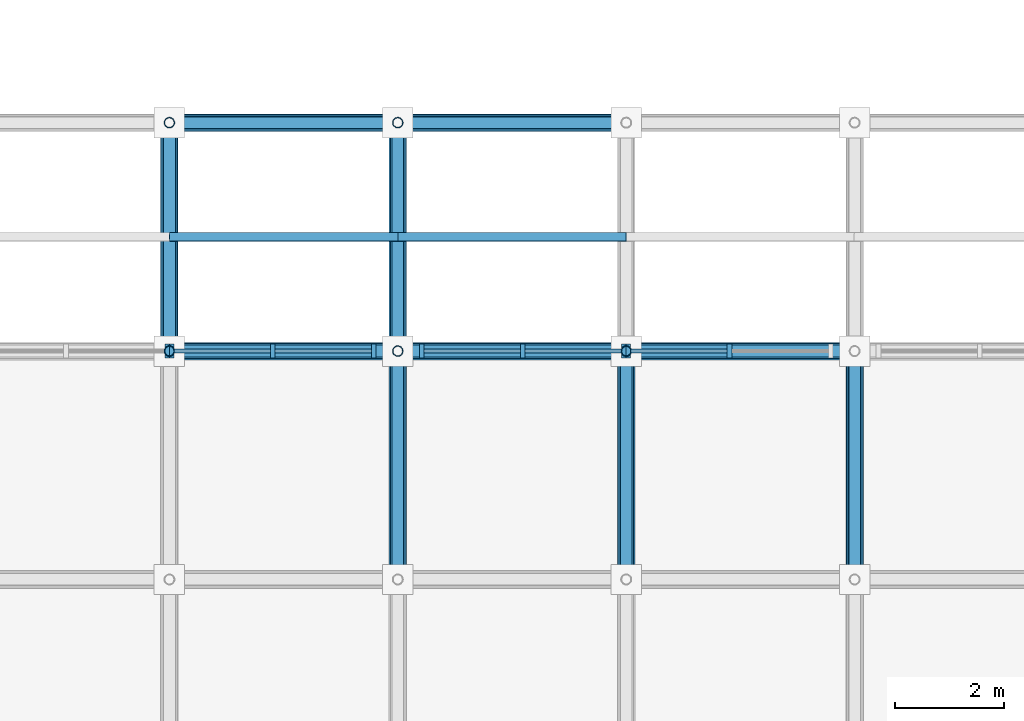
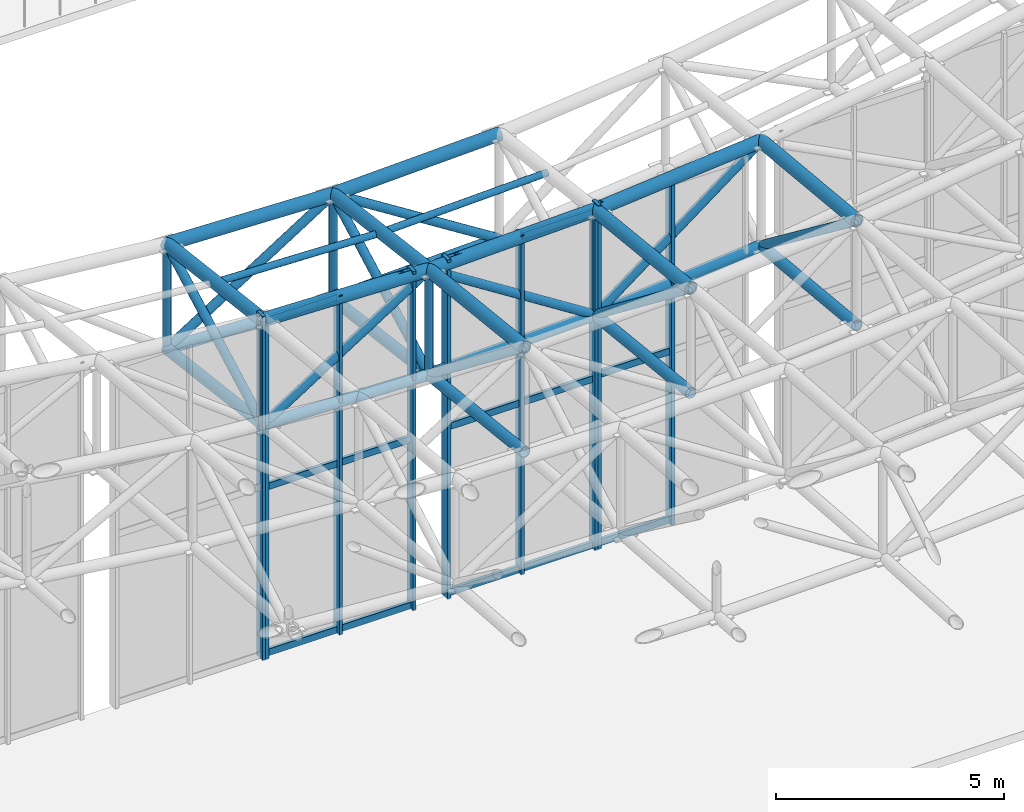
# One storey, part 50 of 93: 61 members, 4 elements without a shape of their own.
"""IFC4 building model written with IfcOpenShell, lengths in metres."""

from ifc_helpers import new_model, si_unit, direction, frame, origin, origin_2d, place, context, subcontext, project, spatial, rectangle, hollow_circle, extrude, material, material_profile, profile_set, type_object, element, aggregate, save


model = new_model("IFC4")

# Units and contexts
model_context = context("Model", 3, precision=1e-05, world=origin(), true_north=direction((0.0, 1.0)))
body_context = subcontext(model_context, "Body", "Model", "MODEL_VIEW")
ifc_project = project(units=[si_unit("LENGTHUNIT", "METRE"), si_unit("AREAUNIT", "SQUARE_METRE"), si_unit("VOLUMEUNIT", "CUBIC_METRE"), si_unit("PLANEANGLEUNIT", "RADIAN"), si_unit("MASSUNIT", "GRAM", prefix="KILO")], contexts=[model_context])

# Site, building, storey
site_placement = place(None, origin())
site = spatial("IfcSite", under=ifc_project, at=site_placement, CompositionType="ELEMENT")
building_placement = place(site_placement, origin())
building = spatial("IfcBuilding", under=site, at=building_placement, Name="Cumbredor Promenade Congress Hotel", CompositionType="ELEMENT")
storey_placement = place(building_placement, frame((0.0, 0.0, 21.840087890625)))
storey = spatial("IfcBuildingStorey", under=building, at=storey_placement, Name="L06", CompositionType="ELEMENT", Elevation=21.840087890625)

# Curtain wall, member
ifc_material_1 = material(Name="Thermally broken anodized aluminium and low-E glass", Category="aluminium")
curtain_wall_type = type_object("IfcCurtainWallType", Name="Stepped Pavilion Clerestory Curtain Wall CW-06", PredefinedType="NOTDEFINED", material=ifc_material_1)
curtain_wall_1_placement = place(storey_placement, origin())
curtain_wall_1 = element("IfcCurtainWall", 1, at=curtain_wall_1_placement, inside=storey, type_object=curtain_wall_type, Name="Plenary Congress Hall N Glazed Clerestory 5", PredefinedType="NOTDEFINED")
ifc_material_2 = material(Name="Thermally broken anodized aluminium", Category="aluminium")
ifc_material_profile_1 = material_profile(ifc_material_2, rectangle(XDim=0.0849609375, YDim=0.260009765625, at=origin_2d()), Name="ALU MULLION CLERESTORY 85x260")
ifc_profile_set_1 = profile_set([ifc_material_profile_1], Name="Thermally broken anodized aluminium")
member_type_1 = type_object("IfcMemberType", Name="Curtain Wall Mullion ML-04", PredefinedType="MULLION", material=ifc_profile_set_1)
member_1_placement = place(storey_placement, frame((29.360107421875, 67.199951171875, -0.01806640625), z_axis=(0.0, 0.0, 1.0), x_axis=(1.0, 0.0, 0.0)))
member_1 = element("IfcMember", 2, at=member_1_placement, type_object=member_type_1, Name="Plenary Congress Hall N Glazed Clerestory 5 Mullion 3", PredefinedType="MULLION", context=body_context, shape_type="SweptSolid", body=[
    extrude(rectangle(XDim=0.0849609375, YDim=0.260009765625, at=origin_2d()), origin(), (0.0, 0.0, 1.0), 9.20068359375),
])
aggregate(curtain_wall_1, [member_1])

# Curtain wall, members
curtain_wall_2_placement = place(storey_placement, origin())
curtain_wall_2 = element("IfcCurtainWall", 3, at=curtain_wall_2_placement, inside=storey, type_object=curtain_wall_type, Name="Plenary Congress Hall N Glazed Clerestory 6", PredefinedType="NOTDEFINED")
member_2_placement = place(storey_placement, frame((29.43994140625, 67.199951171875, -0.01806640625), z_axis=(0.0, 0.0, 1.0), x_axis=(1.0, 0.0, 0.0)))
member_2 = element("IfcMember", 4, at=member_2_placement, type_object=member_type_1, Name="Plenary Congress Hall N Glazed Clerestory 6 Mullion 1", PredefinedType="MULLION", context=body_context, shape_type="SweptSolid", body=[
    extrude(rectangle(XDim=0.0849609375, YDim=0.260009765625, at=origin_2d()), origin(), (0.0, 0.0, 1.0), 9.075439453125),
])
member_3_placement = place(storey_placement, frame((31.300048828125, 67.199951171875, -0.01806640625), z_axis=(0.0, 0.0, 1.0), x_axis=(1.0, 0.0, 0.0)))
member_3 = element("IfcMember", 5, at=member_3_placement, type_object=member_type_1, Name="Plenary Congress Hall N Glazed Clerestory 6 Mullion 2", PredefinedType="MULLION", context=body_context, shape_type="SweptSolid", body=[
    extrude(rectangle(XDim=0.0849609375, YDim=0.260009765625, at=origin_2d()), origin(), (0.0, 0.0, 1.0), 9.075439453125),
])
member_4_placement = place(storey_placement, frame((33.159912109375, 67.199951171875, -0.01806640625), z_axis=(0.0, 0.0, 1.0), x_axis=(1.0, 0.0, 0.0)))
member_4 = element("IfcMember", 6, at=member_4_placement, type_object=member_type_1, Name="Plenary Congress Hall N Glazed Clerestory 6 Mullion 3", PredefinedType="MULLION", context=body_context, shape_type="SweptSolid", body=[
    extrude(rectangle(XDim=0.0849609375, YDim=0.260009765625, at=origin_2d()), origin(), (0.0, 0.0, 1.0), 9.075439453125),
])

curtain_wall_3_placement = place(storey_placement, origin())
curtain_wall_3 = element("IfcCurtainWall", 7, at=curtain_wall_3_placement, inside=storey, type_object=curtain_wall_type, Name="Plenary Congress Hall N Glazed Clerestory 7", PredefinedType="NOTDEFINED")
member_5_placement = place(storey_placement, frame((34.0400390625, 67.199951171875, -0.01806640625), z_axis=(0.0, 0.0, 1.0), x_axis=(1.0, 0.0, 0.0)))
member_5 = element("IfcMember", 8, at=member_5_placement, type_object=member_type_1, Name="Plenary Congress Hall N Glazed Clerestory 7 Mullion 1", PredefinedType="MULLION", context=body_context, shape_type="SweptSolid", body=[
    extrude(rectangle(XDim=0.0849609375, YDim=0.260009765625, at=origin_2d()), origin(), (0.0, 0.0, 1.0), 9.075439453125),
])
member_6_placement = place(storey_placement, frame((35.89990234375, 67.199951171875, -0.01806640625), z_axis=(0.0, 0.0, 1.0), x_axis=(1.0, 0.0, 0.0)))
member_6 = element("IfcMember", 9, at=member_6_placement, type_object=member_type_1, Name="Plenary Congress Hall N Glazed Clerestory 7 Mullion 2", PredefinedType="MULLION", context=body_context, shape_type="SweptSolid", body=[
    extrude(rectangle(XDim=0.0849609375, YDim=0.260009765625, at=origin_2d()), origin(), (0.0, 0.0, 1.0), 9.075439453125),
])
member_7_placement = place(storey_placement, frame((37.760009765625, 67.199951171875, -0.01806640625), z_axis=(0.0, 0.0, 1.0), x_axis=(1.0, 0.0, 0.0)))
member_7 = element("IfcMember", 10, at=member_7_placement, type_object=member_type_1, Name="Plenary Congress Hall N Glazed Clerestory 7 Mullion 3", PredefinedType="MULLION", context=body_context, shape_type="SweptSolid", body=[
    extrude(rectangle(XDim=0.0849609375, YDim=0.260009765625, at=origin_2d()), origin(), (0.0, 0.0, 1.0), 9.075439453125),
])

curtain_wall_4_placement = place(storey_placement, origin())
curtain_wall_4 = element("IfcCurtainWall", 11, at=curtain_wall_4_placement, inside=storey, type_object=curtain_wall_type, Name="Plenary Congress Hall N Glazed Clerestory 8", PredefinedType="NOTDEFINED")
member_8_placement = place(storey_placement, frame((37.840087890625, 67.199951171875, -0.01806640625), z_axis=(0.0, 0.0, 1.0), x_axis=(1.0, 0.0, 0.0)))
member_8 = element("IfcMember", 12, at=member_8_placement, type_object=member_type_1, Name="Plenary Congress Hall N Glazed Clerestory 8 Mullion 1", PredefinedType="MULLION", context=body_context, shape_type="SweptSolid", body=[
    extrude(rectangle(XDim=0.0849609375, YDim=0.260009765625, at=origin_2d()), origin(), (0.0, 0.0, 1.0), 9.20068359375),
])
member_9_placement = place(storey_placement, frame((39.699951171875, 67.199951171875, -0.01806640625), z_axis=(0.0, 0.0, 1.0), x_axis=(1.0, 0.0, 0.0)))
member_9 = element("IfcMember", 13, at=member_9_placement, type_object=member_type_1, Name="Plenary Congress Hall N Glazed Clerestory 8 Mullion 2", PredefinedType="MULLION", context=body_context, shape_type="SweptSolid", body=[
    extrude(rectangle(XDim=0.0849609375, YDim=0.260009765625, at=origin_2d()), origin(), (0.0, 0.0, 1.0), 9.20068359375),
])

# Member
ifc_material_profile_2 = material_profile(ifc_material_2, rectangle(XDim=0.080078125, YDim=0.179931640625, at=origin_2d()), Name="ALU TRANSOM 80x180")
ifc_profile_set_2 = profile_set([ifc_material_profile_2], Name="Thermally broken anodized aluminium")
member_type_2 = type_object("IfcMemberType", Name="Curtain Wall Transom TR-03", PredefinedType="USERDEFINED", material=ifc_profile_set_2)
member_10_placement = place(storey_placement, frame((29.482421875, 67.199951171875, 0.079833984375), z_axis=(1.0, 0.0, 0.0), x_axis=(0.0, 1.0, 0.0)))
member_10 = element("IfcMember", 14, at=member_10_placement, type_object=member_type_2, Name="Plenary Congress Hall N Glazed Clerestory 6 Transom 1.1", ObjectType="TRANSOM", PredefinedType="USERDEFINED", context=body_context, shape_type="SweptSolid", body=[
    extrude(rectangle(XDim=0.080078125, YDim=0.179931640625, at=origin_2d()), origin(), (0.0, 0.0, 1.0), 1.775146484375),
])

member_11_placement = place(storey_placement, frame((29.482421875, 67.199951171875, 4.52001953125), z_axis=(1.0, 0.0, 0.0), x_axis=(0.0, 1.0, 0.0)))
member_11 = element("IfcMember", 15, at=member_11_placement, type_object=member_type_2, Name="Plenary Congress Hall N Glazed Clerestory 6 Transom 1.2", ObjectType="TRANSOM", PredefinedType="USERDEFINED", context=body_context, shape_type="SweptSolid", body=[
    extrude(rectangle(XDim=0.080078125, YDim=0.179931640625, at=origin_2d()), origin(), (0.0, 0.0, 1.0), 1.775146484375),
])

member_12_placement = place(storey_placement, frame((29.482421875, 67.199951171875, 8.9599609375), z_axis=(1.0, 0.0, 0.0), x_axis=(0.0, 1.0, 0.0)))
member_12 = element("IfcMember", 16, at=member_12_placement, type_object=member_type_2, Name="Plenary Congress Hall N Glazed Clerestory 6 Transom 1.3", ObjectType="TRANSOM", PredefinedType="USERDEFINED", context=body_context, shape_type="SweptSolid", body=[
    extrude(rectangle(XDim=0.080078125, YDim=0.179931640625, at=origin_2d()), origin(), (0.0, 0.0, 1.0), 1.775146484375),
])

member_13_placement = place(storey_placement, frame((31.342529296875, 67.199951171875, 0.079833984375), z_axis=(1.0, 0.0, 0.0), x_axis=(0.0, 1.0, 0.0)))
member_13 = element("IfcMember", 17, at=member_13_placement, type_object=member_type_2, Name="Plenary Congress Hall N Glazed Clerestory 6 Transom 2.1", ObjectType="TRANSOM", PredefinedType="USERDEFINED", context=body_context, shape_type="SweptSolid", body=[
    extrude(rectangle(XDim=0.080078125, YDim=0.179931640625, at=origin_2d()), origin(), (0.0, 0.0, 1.0), 1.77490234375),
])

member_14_placement = place(storey_placement, frame((31.342529296875, 67.199951171875, 4.52001953125), z_axis=(1.0, 0.0, 0.0), x_axis=(0.0, 1.0, 0.0)))
member_14 = element("IfcMember", 18, at=member_14_placement, type_object=member_type_2, Name="Plenary Congress Hall N Glazed Clerestory 6 Transom 2.2", ObjectType="TRANSOM", PredefinedType="USERDEFINED", context=body_context, shape_type="SweptSolid", body=[
    extrude(rectangle(XDim=0.080078125, YDim=0.179931640625, at=origin_2d()), origin(), (0.0, 0.0, 1.0), 1.77490234375),
])

member_15_placement = place(storey_placement, frame((31.342529296875, 67.199951171875, 8.9599609375), z_axis=(1.0, 0.0, 0.0), x_axis=(0.0, 1.0, 0.0)))
member_15 = element("IfcMember", 19, at=member_15_placement, type_object=member_type_2, Name="Plenary Congress Hall N Glazed Clerestory 6 Transom 2.3", ObjectType="TRANSOM", PredefinedType="USERDEFINED", context=body_context, shape_type="SweptSolid", body=[
    extrude(rectangle(XDim=0.080078125, YDim=0.179931640625, at=origin_2d()), origin(), (0.0, 0.0, 1.0), 1.77490234375),
])

aggregate(curtain_wall_2, [member_2, member_3, member_4, member_10, member_11, member_12, member_13, member_14, member_15])

member_16_placement = place(storey_placement, frame((34.08251953125, 67.199951171875, 0.079833984375), z_axis=(1.0, 0.0, 0.0), x_axis=(0.0, 1.0, 0.0)))
member_16 = element("IfcMember", 20, at=member_16_placement, type_object=member_type_2, Name="Plenary Congress Hall N Glazed Clerestory 7 Transom 1.1", ObjectType="TRANSOM", PredefinedType="USERDEFINED", context=body_context, shape_type="SweptSolid", body=[
    extrude(rectangle(XDim=0.080078125, YDim=0.179931640625, at=origin_2d()), origin(), (0.0, 0.0, 1.0), 1.77490234375),
])

member_17_placement = place(storey_placement, frame((34.08251953125, 67.199951171875, 4.52001953125), z_axis=(1.0, 0.0, 0.0), x_axis=(0.0, 1.0, 0.0)))
member_17 = element("IfcMember", 21, at=member_17_placement, type_object=member_type_2, Name="Plenary Congress Hall N Glazed Clerestory 7 Transom 1.2", ObjectType="TRANSOM", PredefinedType="USERDEFINED", context=body_context, shape_type="SweptSolid", body=[
    extrude(rectangle(XDim=0.080078125, YDim=0.179931640625, at=origin_2d()), origin(), (0.0, 0.0, 1.0), 1.77490234375),
])

member_18_placement = place(storey_placement, frame((34.08251953125, 67.199951171875, 8.9599609375), z_axis=(1.0, 0.0, 0.0), x_axis=(0.0, 1.0, 0.0)))
member_18 = element("IfcMember", 22, at=member_18_placement, type_object=member_type_2, Name="Plenary Congress Hall N Glazed Clerestory 7 Transom 1.3", ObjectType="TRANSOM", PredefinedType="USERDEFINED", context=body_context, shape_type="SweptSolid", body=[
    extrude(rectangle(XDim=0.080078125, YDim=0.179931640625, at=origin_2d()), origin(), (0.0, 0.0, 1.0), 1.77490234375),
])

member_19_placement = place(storey_placement, frame((35.9423828125, 67.199951171875, 0.079833984375), z_axis=(1.0, 0.0, 0.0), x_axis=(0.0, 1.0, 0.0)))
member_19 = element("IfcMember", 23, at=member_19_placement, type_object=member_type_2, Name="Plenary Congress Hall N Glazed Clerestory 7 Transom 2.1", ObjectType="TRANSOM", PredefinedType="USERDEFINED", context=body_context, shape_type="SweptSolid", body=[
    extrude(rectangle(XDim=0.080078125, YDim=0.179931640625, at=origin_2d()), origin(), (0.0, 0.0, 1.0), 1.775146484375),
])

member_20_placement = place(storey_placement, frame((35.9423828125, 67.199951171875, 4.52001953125), z_axis=(1.0, 0.0, 0.0), x_axis=(0.0, 1.0, 0.0)))
member_20 = element("IfcMember", 24, at=member_20_placement, type_object=member_type_2, Name="Plenary Congress Hall N Glazed Clerestory 7 Transom 2.2", ObjectType="TRANSOM", PredefinedType="USERDEFINED", context=body_context, shape_type="SweptSolid", body=[
    extrude(rectangle(XDim=0.080078125, YDim=0.179931640625, at=origin_2d()), origin(), (0.0, 0.0, 1.0), 1.775146484375),
])

member_21_placement = place(storey_placement, frame((35.9423828125, 67.199951171875, 8.9599609375), z_axis=(1.0, 0.0, 0.0), x_axis=(0.0, 1.0, 0.0)))
member_21 = element("IfcMember", 25, at=member_21_placement, type_object=member_type_2, Name="Plenary Congress Hall N Glazed Clerestory 7 Transom 2.3", ObjectType="TRANSOM", PredefinedType="USERDEFINED", context=body_context, shape_type="SweptSolid", body=[
    extrude(rectangle(XDim=0.080078125, YDim=0.179931640625, at=origin_2d()), origin(), (0.0, 0.0, 1.0), 1.775146484375),
])

aggregate(curtain_wall_3, [member_5, member_6, member_7, member_16, member_17, member_18, member_19, member_20, member_21])

member_22_placement = place(storey_placement, frame((37.882568359375, 67.199951171875, 0.079833984375), z_axis=(1.0, 0.0, 0.0), x_axis=(0.0, 1.0, 0.0)))
member_22 = element("IfcMember", 26, at=member_22_placement, type_object=member_type_2, Name="Plenary Congress Hall N Glazed Clerestory 8 Transom 1.1", ObjectType="TRANSOM", PredefinedType="USERDEFINED", context=body_context, shape_type="SweptSolid", body=[
    extrude(rectangle(XDim=0.080078125, YDim=0.179931640625, at=origin_2d()), origin(), (0.0, 0.0, 1.0), 1.77490234375),
])

member_23_placement = place(storey_placement, frame((37.882568359375, 67.199951171875, 4.579833984375), z_axis=(1.0, 0.0, 0.0), x_axis=(0.0, 1.0, 0.0)))
member_23 = element("IfcMember", 27, at=member_23_placement, type_object=member_type_2, Name="Plenary Congress Hall N Glazed Clerestory 8 Transom 1.2", ObjectType="TRANSOM", PredefinedType="USERDEFINED", context=body_context, shape_type="SweptSolid", body=[
    extrude(rectangle(XDim=0.080078125, YDim=0.179931640625, at=origin_2d()), origin(), (0.0, 0.0, 1.0), 1.77490234375),
])

member_24_placement = place(storey_placement, frame((37.882568359375, 67.199951171875, 9.079833984375), z_axis=(1.0, 0.0, 0.0), x_axis=(0.0, 1.0, 0.0)))
member_24 = element("IfcMember", 28, at=member_24_placement, type_object=member_type_2, Name="Plenary Congress Hall N Glazed Clerestory 8 Transom 1.3", ObjectType="TRANSOM", PredefinedType="USERDEFINED", context=body_context, shape_type="SweptSolid", body=[
    extrude(rectangle(XDim=0.080078125, YDim=0.179931640625, at=origin_2d()), origin(), (0.0, 0.0, 1.0), 1.77490234375),
])

aggregate(curtain_wall_4, [member_8, member_9, member_22, member_23, member_24])

# Members
ifc_material_3 = material(Name="Steel ASTM A500 Grade C", Category="steel")
ifc_material_profile_3 = material_profile(ifc_material_3, hollow_circle(Radius=0.136474609375, WallThickness=0.01611328125, at=origin_2d()), Name="CHS 273.0x16")
ifc_profile_set_3 = profile_set([ifc_material_profile_3], Name="Steel ASTM A500 Grade C")
member_type_3 = type_object("IfcMemberType", Name="Plenary Roof Space Frame Bottom Chord", PredefinedType="CHORD", material=ifc_profile_set_3)
member_25_placement = place(storey_placement, frame((29.39990234375, 67.199951171875, 6.19482421875), z_axis=(0.99955398779, 0.0, -0.029863447438), x_axis=(0.0, 1.0, 0.0)))
element("IfcMember", 29, at=member_25_placement, inside=storey, type_object=member_type_3, Name="Plenary Congress Hall X Bottom Chord 9.17", PredefinedType="CHORD", context=body_context, shape_type="SweptSolid", body=[
    extrude(hollow_circle(Radius=0.136474609375, WallThickness=0.01611328125, at=origin_2d()), origin(), (0.0, 0.0, 1.0), 4.2021484375),
])
member_26_placement = place(storey_placement, frame((33.60009765625, 67.199951171875, 6.0693359375), z_axis=(0.99955393597, 0.0, 0.029865181834), x_axis=(0.0, 1.0, 0.0)))
element("IfcMember", 30, at=member_26_placement, inside=storey, type_object=member_type_3, Name="Plenary Congress Hall X Bottom Chord 10.17", PredefinedType="CHORD", context=body_context, shape_type="SweptSolid", body=[
    extrude(hollow_circle(Radius=0.136474609375, WallThickness=0.01611328125, at=origin_2d()), origin(), (0.0, 0.0, 1.0), 4.201904296875),
])
member_27_placement = place(storey_placement, frame((37.800048828125, 67.199951171875, 6.19482421875), z_axis=(0.995981000489, 0.0, 0.089564762411), x_axis=(0.0, 1.0, 0.0)))
element("IfcMember", 31, at=member_27_placement, inside=storey, type_object=member_type_3, Name="Plenary Congress Hall X Bottom Chord 11.17", PredefinedType="CHORD", context=body_context, shape_type="SweptSolid", body=[
    extrude(hollow_circle(Radius=0.136474609375, WallThickness=0.01611328125, at=origin_2d()), origin(), (0.0, 0.0, 1.0), 4.216796875),
])
member_28_placement = place(storey_placement, frame((29.39990234375, 71.39990234375, 5.679931640625), z_axis=(0.999428278482, 0.0, -0.033810001051), x_axis=(0.0, 1.0, 0.0)))
element("IfcMember", 32, at=member_28_placement, inside=storey, type_object=member_type_3, Name="Plenary Congress Hall X Bottom Chord 9.18", PredefinedType="CHORD", context=body_context, shape_type="SweptSolid", body=[
    extrude(hollow_circle(Radius=0.136474609375, WallThickness=0.01611328125, at=origin_2d()), origin(), (0.0, 0.0, 1.0), 4.20263671875),
])
member_29_placement = place(storey_placement, frame((33.60009765625, 71.39990234375, 5.537841796875), z_axis=(0.999428212069, 0.0, 0.033811964159), x_axis=(0.0, 1.0, 0.0)))
element("IfcMember", 33, at=member_29_placement, inside=storey, type_object=member_type_3, Name="Plenary Congress Hall X Bottom Chord 10.18", PredefinedType="CHORD", context=body_context, shape_type="SweptSolid", body=[
    extrude(hollow_circle(Radius=0.136474609375, WallThickness=0.01611328125, at=origin_2d()), origin(), (0.0, 0.0, 1.0), 4.202392578125),
])
member_30_placement = place(storey_placement, frame((29.39990234375, 67.199951171875, 6.19482421875), z_axis=(0.0, 0.992568905848, -0.121683882022), x_axis=(-1.0, 0.0, 0.0)))
element("IfcMember", 34, at=member_30_placement, inside=storey, type_object=member_type_3, Name="Plenary Congress Hall Y Bottom Chord 9.17", PredefinedType="CHORD", context=body_context, shape_type="SweptSolid", body=[
    extrude(hollow_circle(Radius=0.136474609375, WallThickness=0.01611328125, at=origin_2d()), origin(), (0.0, 0.0, 1.0), 4.2314453125),
])
member_31_placement = place(storey_placement, frame((33.60009765625, 63.0, 6.534912109375), z_axis=(0.0, 0.993911885476, -0.110177873952), x_axis=(-1.0, 0.0, 0.0)))
element("IfcMember", 35, at=member_31_placement, inside=storey, type_object=member_type_3, Name="Plenary Congress Hall Y Bottom Chord 10.16", PredefinedType="CHORD", context=body_context, shape_type="SweptSolid", body=[
    extrude(hollow_circle(Radius=0.136474609375, WallThickness=0.01611328125, at=origin_2d()), origin(), (0.0, 0.0, 1.0), 4.2255859375),
])
member_32_placement = place(storey_placement, frame((33.60009765625, 67.199951171875, 6.0693359375), z_axis=(0.0, 0.992087746619, -0.125546417741), x_axis=(-1.0, 0.0, 0.0)))
element("IfcMember", 36, at=member_32_placement, inside=storey, type_object=member_type_3, Name="Plenary Congress Hall Y Bottom Chord 10.17", PredefinedType="CHORD", context=body_context, shape_type="SweptSolid", body=[
    extrude(hollow_circle(Radius=0.136474609375, WallThickness=0.01611328125, at=origin_2d()), origin(), (0.0, 0.0, 1.0), 4.2333984375),
])
member_33_placement = place(storey_placement, frame((37.800048828125, 63.0, 6.64599609375), z_axis=(0.0, 0.994279597803, -0.1068086204), x_axis=(-1.0, 0.0, 0.0)))
element("IfcMember", 37, at=member_33_placement, inside=storey, type_object=member_type_3, Name="Plenary Congress Hall Y Bottom Chord 11.16", PredefinedType="CHORD", context=body_context, shape_type="SweptSolid", body=[
    extrude(hollow_circle(Radius=0.136474609375, WallThickness=0.01611328125, at=origin_2d()), origin(), (0.0, 0.0, 1.0), 4.22412109375),
])
member_34_placement = place(storey_placement, frame((42.0, 63.0, 6.980224609375), z_axis=(0.0, 0.995321159621, -0.096621887843), x_axis=(-1.0, 0.0, 0.0)))
element("IfcMember", 38, at=member_34_placement, inside=storey, type_object=member_type_3, Name="Plenary Congress Hall Y Bottom Chord 12.16", PredefinedType="CHORD", context=body_context, shape_type="SweptSolid", body=[
    extrude(hollow_circle(Radius=0.136474609375, WallThickness=0.01611328125, at=origin_2d()), origin(), (0.0, 0.0, 1.0), 4.2197265625),
])
ifc_material_profile_4 = material_profile(ifc_material_3, hollow_circle(Radius=0.161865234375, WallThickness=0.01611328125, at=origin_2d()), Name="CHS 323.9x16")
ifc_profile_set_4 = profile_set([ifc_material_profile_4], Name="Steel ASTM A500 Grade C")
member_type_4 = type_object("IfcMemberType", Name="Plenary Roof Space Frame Top Chord", PredefinedType="CHORD", material=ifc_profile_set_4)
member_35_placement = place(storey_placement, frame((29.39990234375, 67.199951171875, 8.99462890625), z_axis=(0.999555720403, 0.0, -0.02980539901), x_axis=(0.0, 1.0, 0.0)))
element("IfcMember", 39, at=member_35_placement, inside=storey, type_object=member_type_4, Name="Plenary Congress Hall X Top Chord 9.17", PredefinedType="CHORD", context=body_context, shape_type="SweptSolid", body=[
    extrude(hollow_circle(Radius=0.161865234375, WallThickness=0.01611328125, at=origin_2d()), origin(), (0.0, 0.0, 1.0), 4.2021484375),
])
member_36_placement = place(storey_placement, frame((33.60009765625, 67.199951171875, 8.869384765625), z_axis=(0.999555668784, 0.0, 0.02980713004), x_axis=(0.0, 1.0, 0.0)))
element("IfcMember", 40, at=member_36_placement, inside=storey, type_object=member_type_4, Name="Plenary Congress Hall X Top Chord 10.17", PredefinedType="CHORD", context=body_context, shape_type="SweptSolid", body=[
    extrude(hollow_circle(Radius=0.161865234375, WallThickness=0.01611328125, at=origin_2d()), origin(), (0.0, 0.0, 1.0), 4.201904296875),
])
member_37_placement = place(storey_placement, frame((37.800048828125, 67.199951171875, 8.99462890625), z_axis=(0.995975834279, 0.0, 0.089622193307), x_axis=(0.0, 1.0, 0.0)))
element("IfcMember", 41, at=member_37_placement, inside=storey, type_object=member_type_4, Name="Plenary Congress Hall X Top Chord 11.17", PredefinedType="CHORD", context=body_context, shape_type="SweptSolid", body=[
    extrude(hollow_circle(Radius=0.161865234375, WallThickness=0.01611328125, at=origin_2d()), origin(), (0.0, 0.0, 1.0), 4.217041015625),
])
member_38_placement = place(storey_placement, frame((29.39990234375, 71.39990234375, 8.47998046875), z_axis=(0.999428278482, 0.0, -0.033810001051), x_axis=(0.0, 1.0, 0.0)))
element("IfcMember", 42, at=member_38_placement, inside=storey, type_object=member_type_4, Name="Plenary Congress Hall X Top Chord 9.18", PredefinedType="CHORD", context=body_context, shape_type="SweptSolid", body=[
    extrude(hollow_circle(Radius=0.161865234375, WallThickness=0.01611328125, at=origin_2d()), origin(), (0.0, 0.0, 1.0), 4.20263671875),
])
member_39_placement = place(storey_placement, frame((33.60009765625, 71.39990234375, 8.337890625), z_axis=(0.999428212069, 0.0, 0.033811964159), x_axis=(0.0, 1.0, 0.0)))
element("IfcMember", 43, at=member_39_placement, inside=storey, type_object=member_type_4, Name="Plenary Congress Hall X Top Chord 10.18", PredefinedType="CHORD", context=body_context, shape_type="SweptSolid", body=[
    extrude(hollow_circle(Radius=0.161865234375, WallThickness=0.01611328125, at=origin_2d()), origin(), (0.0, 0.0, 1.0), 4.202392578125),
])
member_40_placement = place(storey_placement, frame((29.39990234375, 67.199951171875, 8.99462890625), z_axis=(0.0, 0.992575872944, -0.121627038317), x_axis=(-1.0, 0.0, 0.0)))
element("IfcMember", 44, at=member_40_placement, inside=storey, type_object=member_type_4, Name="Plenary Congress Hall Y Top Chord 9.17", PredefinedType="CHORD", context=body_context, shape_type="SweptSolid", body=[
    extrude(hollow_circle(Radius=0.161865234375, WallThickness=0.01611328125, at=origin_2d()), origin(), (0.0, 0.0, 1.0), 4.2314453125),
])
member_41_placement = place(storey_placement, frame((33.60009765625, 63.0, 9.334716796875), z_axis=(0.0, 0.993918210705, -0.110120799256), x_axis=(-1.0, 0.0, 0.0)))
element("IfcMember", 45, at=member_41_placement, inside=storey, type_object=member_type_4, Name="Plenary Congress Hall Y Top Chord 10.16", PredefinedType="CHORD", context=body_context, shape_type="SweptSolid", body=[
    extrude(hollow_circle(Radius=0.161865234375, WallThickness=0.01611328125, at=origin_2d()), origin(), (0.0, 0.0, 1.0), 4.2255859375),
])
member_42_placement = place(storey_placement, frame((33.60009765625, 67.199951171875, 8.869384765625), z_axis=(0.0, 0.992087746619, -0.125546417741), x_axis=(-1.0, 0.0, 0.0)))
element("IfcMember", 46, at=member_42_placement, inside=storey, type_object=member_type_4, Name="Plenary Congress Hall Y Top Chord 10.17", PredefinedType="CHORD", context=body_context, shape_type="SweptSolid", body=[
    extrude(hollow_circle(Radius=0.161865234375, WallThickness=0.01611328125, at=origin_2d()), origin(), (0.0, 0.0, 1.0), 4.2333984375),
])
member_43_placement = place(storey_placement, frame((37.800048828125, 63.0, 9.446044921875), z_axis=(0.0, 0.994273458309, -0.106865757392), x_axis=(-1.0, 0.0, 0.0)))
element("IfcMember", 47, at=member_43_placement, inside=storey, type_object=member_type_4, Name="Plenary Congress Hall Y Top Chord 11.16", PredefinedType="CHORD", context=body_context, shape_type="SweptSolid", body=[
    extrude(hollow_circle(Radius=0.161865234375, WallThickness=0.01611328125, at=origin_2d()), origin(), (0.0, 0.0, 1.0), 4.22412109375),
])
member_44_placement = place(storey_placement, frame((42.0, 63.0, 9.7802734375), z_axis=(0.0, 0.995321159621, -0.096621887843), x_axis=(-1.0, 0.0, 0.0)))
element("IfcMember", 48, at=member_44_placement, inside=storey, type_object=member_type_4, Name="Plenary Congress Hall Y Top Chord 12.16", PredefinedType="CHORD", context=body_context, shape_type="SweptSolid", body=[
    extrude(hollow_circle(Radius=0.161865234375, WallThickness=0.01611328125, at=origin_2d()), origin(), (0.0, 0.0, 1.0), 4.2197265625),
])
ifc_material_profile_5 = material_profile(ifc_material_3, hollow_circle(Radius=0.084228515625, WallThickness=0.010009765625, at=origin_2d()), Name="CHS 168.3x10")
ifc_profile_set_5 = profile_set([ifc_material_profile_5], Name="Steel ASTM A500 Grade C")
member_type_5 = type_object("IfcMemberType", Name="Roof Purlin CHS168", PredefinedType="PURLIN", material=ifc_profile_set_5)
member_45_placement = place(storey_placement, frame((29.39990234375, 69.300048828125, 8.71728515625), z_axis=(0.999493077083, 0.0, -0.031836910384), x_axis=(0.0, 1.0, 0.0)))
element("IfcMember", 49, at=member_45_placement, inside=storey, type_object=member_type_5, Name="Plenary Congress Hall Roof Eave Purlin 9.17", PredefinedType="PURLIN", context=body_context, shape_type="SweptSolid", body=[
    extrude(hollow_circle(Radius=0.084228515625, WallThickness=0.010009765625, at=origin_2d()), origin(), (0.0, 0.0, 1.0), 4.202392578125),
])
member_46_placement = place(storey_placement, frame((33.60009765625, 69.300048828125, 8.58349609375), z_axis=(0.999493018192, 0.0, 0.031838759168), x_axis=(0.0, 1.0, 0.0)))
element("IfcMember", 50, at=member_46_placement, inside=storey, type_object=member_type_5, Name="Plenary Congress Hall Roof Eave Purlin 10.17", PredefinedType="PURLIN", context=body_context, shape_type="SweptSolid", body=[
    extrude(hollow_circle(Radius=0.084228515625, WallThickness=0.010009765625, at=origin_2d()), origin(), (0.0, 0.0, 1.0), 4.2021484375),
])
ifc_material_profile_6 = material_profile(ifc_material_3, hollow_circle(Radius=0.109619140625, WallThickness=0.012451171875, at=origin_2d()), Name="CHS 219.1x12.5")
ifc_profile_set_6 = profile_set([ifc_material_profile_6], Name="Steel ASTM A500 Grade C")
member_type_6 = type_object("IfcMemberType", Name="Space Frame Web Diagonal D1", PredefinedType="BRACE", material=ifc_profile_set_6)
member_47_placement = place(storey_placement, frame((29.39990234375, 67.199951171875, 6.19482421875), z_axis=(0.843505999553, 0.0, 0.53711975268), x_axis=(0.0, 1.0, 0.0)))
element("IfcMember", 51, at=member_47_placement, inside=storey, type_object=member_type_6, Name="Plenary Congress Hall X Web Diagonal 9.17", PredefinedType="BRACE", context=body_context, shape_type="SweptSolid", body=[
    extrude(hollow_circle(Radius=0.109619140625, WallThickness=0.012451171875, at=origin_2d()), origin(), (0.0, 0.0, 1.0), 4.9794921875),
])
member_48_placement = place(storey_placement, frame((33.60009765625, 67.199951171875, 8.869384765625), z_axis=(0.843491853739, 0.0, -0.537141966966), x_axis=(0.0, 1.0, 0.0)))
element("IfcMember", 52, at=member_48_placement, inside=storey, type_object=member_type_6, Name="Plenary Congress Hall X Web Diagonal 10.17", PredefinedType="BRACE", context=body_context, shape_type="SweptSolid", body=[
    extrude(hollow_circle(Radius=0.109619140625, WallThickness=0.012451171875, at=origin_2d()), origin(), (0.0, 0.0, 1.0), 4.979248046875),
])
member_49_placement = place(storey_placement, frame((37.800048828125, 67.199951171875, 6.19482421875), z_axis=(0.79746184577, 0.0, 0.603369376536), x_axis=(0.0, 1.0, 0.0)))
element("IfcMember", 53, at=member_49_placement, inside=storey, type_object=member_type_6, Name="Plenary Congress Hall X Web Diagonal 11.17", PredefinedType="BRACE", context=body_context, shape_type="SweptSolid", body=[
    extrude(hollow_circle(Radius=0.109619140625, WallThickness=0.012451171875, at=origin_2d()), origin(), (0.0, 0.0, 1.0), 5.2666015625),
])
for number, where, z_axis, x_axis, name in (
    (54, (29.39990234375, 71.39990234375, 5.679931640625), (0.845015877514, 0.0, 0.534741214747), (0.0, 1.0, 0.0), "Plenary Congress Hall X Web Diagonal 9.18"),
    (55, (33.60009765625, 71.39990234375, 8.337890625), (0.845001831607, 0.0, -0.534763409912), (0.0, 1.0, 0.0), "Plenary Congress Hall X Web Diagonal 10.18"),
):
    element("IfcMember", number, at=place(storey_placement, frame(where, z_axis=z_axis, x_axis=x_axis)), inside=storey, type_object=member_type_6, Name=name, PredefinedType="BRACE", context=body_context, shape_type="SweptSolid", body=[
        extrude(hollow_circle(Radius=0.109619140625, WallThickness=0.012451171875, at=origin_2d()), origin(), (0.0, 0.0, 1.0), 4.970458984375),
    ])
member_50_placement = place(storey_placement, frame((29.39990234375, 67.199951171875, 6.19482421875), z_axis=(0.0, 0.87839854046, 0.477928869308), x_axis=(-1.0, 0.0, 0.0)))
element("IfcMember", 56, at=member_50_placement, inside=storey, type_object=member_type_6, Name="Plenary Congress Hall Y Web Diagonal 9.17", PredefinedType="BRACE", context=body_context, shape_type="SweptSolid", body=[
    extrude(hollow_circle(Radius=0.109619140625, WallThickness=0.012451171875, at=origin_2d()), origin(), (0.0, 0.0, 1.0), 4.781494140625),
])
member_51_placement = place(storey_placement, frame((33.60009765625, 63.0, 9.334716796875), z_axis=(0.0, 0.789465872756, -0.613794457252), x_axis=(-1.0, 0.0, 0.0)))
element("IfcMember", 57, at=member_51_placement, inside=storey, type_object=member_type_6, Name="Plenary Congress Hall Y Web Diagonal 10.16", PredefinedType="BRACE", context=body_context, shape_type="SweptSolid", body=[
    extrude(hollow_circle(Radius=0.109619140625, WallThickness=0.012451171875, at=origin_2d()), origin(), (0.0, 0.0, 1.0), 5.320068359375),
])
member_52_placement = place(storey_placement, frame((33.60009765625, 67.199951171875, 6.0693359375), z_axis=(0.0, 0.87985450063, 0.475243156418), x_axis=(-1.0, 0.0, 0.0)))
element("IfcMember", 58, at=member_52_placement, inside=storey, type_object=member_type_6, Name="Plenary Congress Hall Y Web Diagonal 10.17", PredefinedType="BRACE", context=body_context, shape_type="SweptSolid", body=[
    extrude(hollow_circle(Radius=0.109619140625, WallThickness=0.012451171875, at=origin_2d()), origin(), (0.0, 0.0, 1.0), 4.7734375),
])
member_53_placement = place(storey_placement, frame((37.800048828125, 63.0, 9.446044921875), z_axis=(0.0, 0.790756005448, -0.612131472682), x_axis=(-1.0, 0.0, 0.0)))
element("IfcMember", 59, at=member_53_placement, inside=storey, type_object=member_type_6, Name="Plenary Congress Hall Y Web Diagonal 11.16", PredefinedType="BRACE", context=body_context, shape_type="SweptSolid", body=[
    extrude(hollow_circle(Radius=0.109619140625, WallThickness=0.012451171875, at=origin_2d()), origin(), (0.0, 0.0, 1.0), 5.311279296875),
])
member_54_placement = place(storey_placement, frame((42.0, 63.0, 9.7802734375), z_axis=(0.0, 0.794719598753, -0.606976737082), x_axis=(-1.0, 0.0, 0.0)))
element("IfcMember", 60, at=member_54_placement, inside=storey, type_object=member_type_6, Name="Plenary Congress Hall Y Web Diagonal 12.16", PredefinedType="BRACE", context=body_context, shape_type="SweptSolid", body=[
    extrude(hollow_circle(Radius=0.109619140625, WallThickness=0.012451171875, at=origin_2d()), origin(), (0.0, 0.0, 1.0), 5.284912109375),
])
ifc_material_profile_7 = material_profile(ifc_material_3, hollow_circle(Radius=0.096923828125, WallThickness=0.010009765625, at=origin_2d()), Name="CHS 193.7x10")
ifc_profile_set_7 = profile_set([ifc_material_profile_7], Name="Steel ASTM A500 Grade C")
member_type_7 = type_object("IfcMemberType", Name="Space Frame Web Post P1", PredefinedType="BRACE", material=ifc_profile_set_7)
member_55_placement = place(storey_placement, frame((29.39990234375, 67.199951171875, 6.19482421875), z_axis=(0.0, 0.0, 1.0), x_axis=(1.0, 0.0, 0.0)))
element("IfcMember", 61, at=member_55_placement, inside=storey, type_object=member_type_7, Name="Plenary Congress Hall Space Frame Web Post 9.17", PredefinedType="BRACE", context=body_context, shape_type="SweptSolid", body=[
    extrude(hollow_circle(Radius=0.096923828125, WallThickness=0.010009765625, at=origin_2d()), origin(), (0.0, 0.0, 1.0), 2.7998046875),
])
for number, where, z_axis, x_axis, name in (
    (62, (29.39990234375, 71.39990234375, 5.679931640625), (0.0, 0.0, 1.0), (1.0, 0.0, 0.0), "Plenary Congress Hall Space Frame Web Post 9.18"),
    (63, (33.60009765625, 67.199951171875, 6.0693359375), (0.0, 0.0, 1.0), (1.0, 0.0, 0.0), "Plenary Congress Hall Space Frame Web Post 10.17"),
    (64, (33.60009765625, 71.39990234375, 5.537841796875), (0.0, 0.0, 1.0), (1.0, 0.0, 0.0), "Plenary Congress Hall Space Frame Web Post 10.18"),
):
    element("IfcMember", number, at=place(storey_placement, frame(where, z_axis=z_axis, x_axis=x_axis)), inside=storey, type_object=member_type_7, Name=name, PredefinedType="BRACE", context=body_context, shape_type="SweptSolid", body=[
        extrude(hollow_circle(Radius=0.096923828125, WallThickness=0.010009765625, at=origin_2d()), origin(), (0.0, 0.0, 1.0), 2.800048828125),
    ])
member_56_placement = place(storey_placement, frame((37.800048828125, 67.199951171875, 6.19482421875), z_axis=(0.0, 0.0, 1.0), x_axis=(1.0, 0.0, 0.0)))
element("IfcMember", 65, at=member_56_placement, inside=storey, type_object=member_type_7, Name="Plenary Congress Hall Space Frame Web Post 11.17", PredefinedType="BRACE", context=body_context, shape_type="SweptSolid", body=[
    extrude(hollow_circle(Radius=0.096923828125, WallThickness=0.010009765625, at=origin_2d()), origin(), (0.0, 0.0, 1.0), 2.7998046875),
])

save(model, "model.ifc")
